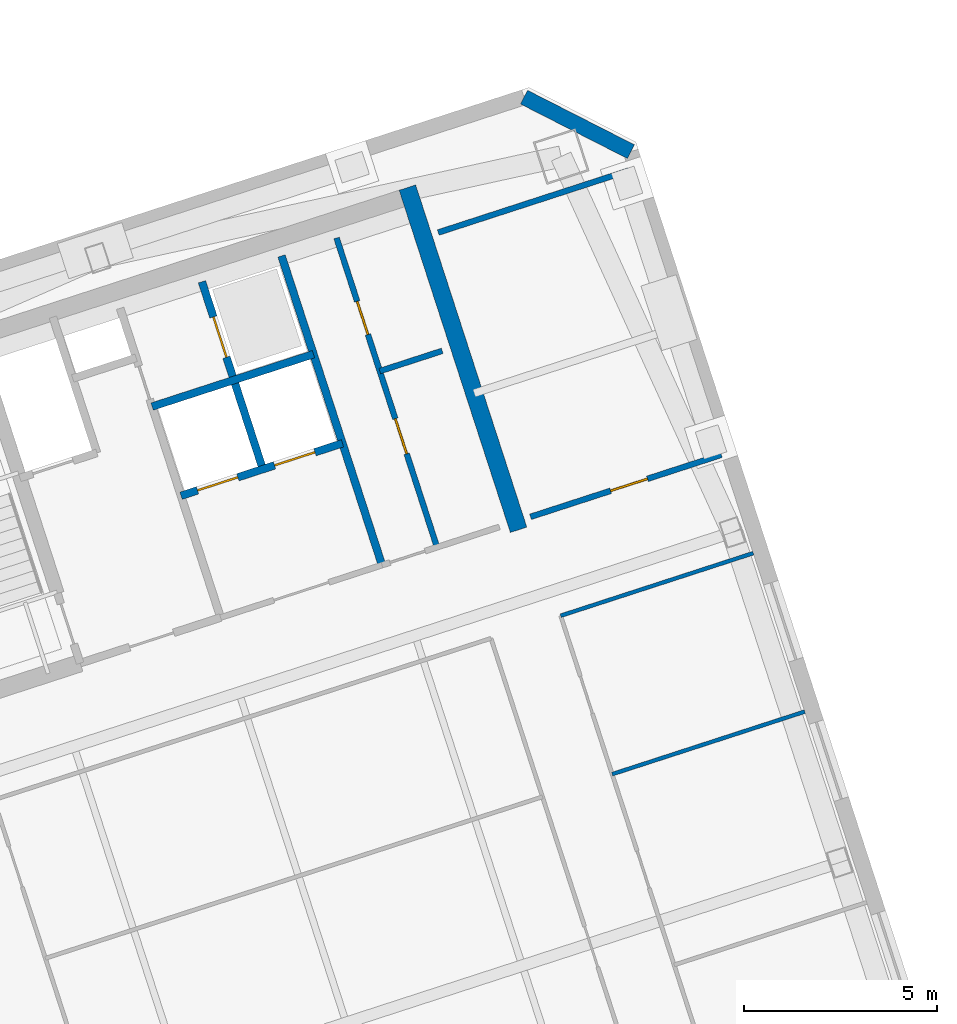
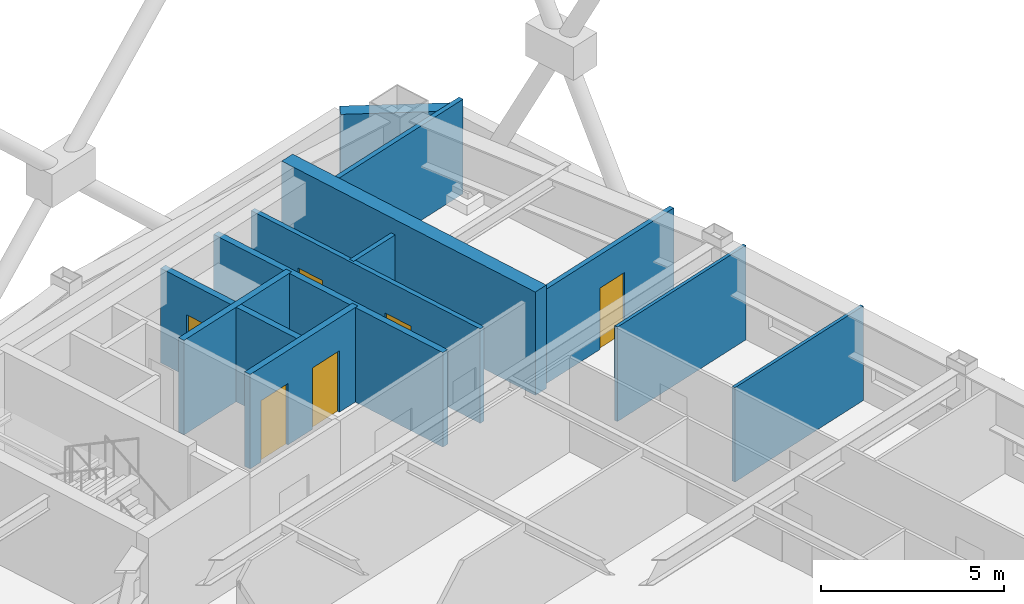
# One storey, part 11 of 15: 12 walls, 6 doors, 6 openings.
"""IFC4 building model written with IfcOpenShell, lengths in metres."""

from ifc_helpers import new_model, si_unit, direction, frame, frame_2d, origin, place, context, subcontext, project, spatial, rectangle, extrude, material, layer, layer_set, type_object, element, fill, save


model = new_model("IFC4")

# Units and contexts
model_context = context("Model", 3, precision=1e-05, world=origin(), true_north=direction((0.0, 1.0)))
body_context = subcontext(model_context, "Body", "Model", "MODEL_VIEW")
ifc_project = project(units=[si_unit("LENGTHUNIT", "METRE"), si_unit("AREAUNIT", "SQUARE_METRE"), si_unit("VOLUMEUNIT", "CUBIC_METRE"), si_unit("PLANEANGLEUNIT", "RADIAN"), si_unit("MASSUNIT", "GRAM", prefix="KILO")], contexts=[model_context])

# Site, building, storey
site_placement = place(None, origin())
site = spatial("IfcSite", under=ifc_project, at=site_placement, CompositionType="ELEMENT")
building_placement = place(site_placement, origin())
building = spatial("IfcBuilding", under=site, at=building_placement, Name="Qiaolan Cultural Towers", CompositionType="ELEMENT")
storey_placement = place(building_placement, frame((0.0, 0.0, 212.75)))
storey = spatial("IfcBuildingStorey", under=building, at=storey_placement, Name="L57", CompositionType="ELEMENT", Elevation=212.75)

# Walls
ifc_material_1 = material(Name="Concrete C50", Category="concrete")
ifc_layer_1 = layer(ifc_material_1, 0.449951171875)
ifc_layer_set_1 = layer_set([ifc_layer_1], Name="Concrete C50")
wall_type_1 = type_object("IfcWallType", Name="WL-CORE-450", PredefinedType="SHEAR", material=ifc_layer_set_1)
wall_1_placement = place(storey_placement, frame((94.468994140625, 46.781494140625, 0.0), z_axis=(0.0, 0.0, 1.0), x_axis=(-0.309004419953, 0.951060601881, 0.0)))
element("IfcWall", 1, at=wall_1_placement, inside=storey, type_object=wall_type_1, Name="L57 T2-CN East Core Shear Wall", PredefinedType="SHEAR", context=body_context, shape_type="SweptSolid", body=[
    extrude(rectangle(XDim=9.330078125, YDim=0.449951171875, at=frame_2d((4.6650390625, 0.0))), origin(), (0.0, 0.0, 1.0), 3.449951171875),
])
ifc_material_2 = material(Name="Precast Concrete C50 Honed Stone Pier", Category="masonry")
ifc_layer_2 = layer(ifc_material_2, 0.39990234375)
ifc_layer_set_2 = layer_set([ifc_layer_2], Name="Precast Concrete C50 Honed Stone Pier")
wall_type_2 = type_object("IfcWallType", Name="WL-EXT-PIER-400", PredefinedType="SOLIDWALL", material=ifc_layer_set_2)
wall_2_placement = place(storey_placement, frame((94.609619140625, 57.9990234375, 0.0), z_axis=(0.0, 0.0, 1.0), x_axis=(0.890979603174, -0.454043331334, 0.0)))
element("IfcWall", 2, at=wall_2_placement, inside=storey, type_object=wall_type_2, Name="L57 East Tower Precast Pier Facade Wall F4", PredefinedType="SOLIDWALL", context=body_context, shape_type="SweptSolid", body=[
    extrude(rectangle(XDim=3.111083984375, YDim=0.39990234375, at=frame_2d((1.5556640625, 0.0))), origin(), (0.0, 0.0, 1.0), 2.550048828125),
])
ifc_material_3 = material(Name="Concrete C35 Fire Wall", Category="concrete")
ifc_layer_3 = layer(ifc_material_3, 0.199951171875)
ifc_layer_set_3 = layer_set([ifc_layer_3], Name="Concrete C35 Fire Wall")
wall_type_3 = type_object("IfcWallType", Name="WL-FIRE-200", PredefinedType="PARTITIONING", material=ifc_layer_set_3)
wall_3_placement = place(storey_placement, frame((90.92822265625, 45.86767578125, 0.0), z_axis=(0.0, 0.0, 1.0), x_axis=(-0.309042196757, 0.951048327176, 0.0)))
element("IfcWall", 3, at=wall_3_placement, inside=storey, type_object=wall_type_3, Name="L57 T2-CN Lift Core East Wall", PredefinedType="PARTITIONING", context=body_context, shape_type="SweptSolid", body=[
    extrude(rectangle(XDim=8.429931640625, YDim=0.199951171875, at=frame_2d((4.21484375, 0.0))), origin(), (0.0, 0.0, 1.0), 3.155029296875),
])

# Wall, openings, doors
wall_4_placement = place(storey_placement, frame((85.717529296875, 47.66552734375, 0.0), z_axis=(0.0, 0.0, 1.0), x_axis=(0.951058531764, 0.30901079133, 0.0)))
wall_4 = element("IfcWall", 4, at=wall_4_placement, inside=storey, type_object=wall_type_3, Name="L57 T2-CN Passenger Lift Shaft Front Wall", PredefinedType="PARTITIONING", context=body_context, shape_type="SweptSolid", body=[
    extrude(rectangle(XDim=4.39990234375, YDim=0.199951171875, at=frame_2d((2.199951171875, 0.0))), origin(), (0.0, 0.0, 1.0), 3.155029296875),
])
opening_1_placement = place(wall_4_placement, frame((0.449951171875, 0.0, 0.0)))
opening_1 = element("IfcOpeningElement", 5, at=opening_1_placement, cuts=wall_4, Name="Opening LD-01", PredefinedType="OPENING", context=body_context, shape_type="SweptSolid", body=[
    extrude(rectangle(XDim=1.10009765625, YDim=2.050048828125, at=frame_2d((0.550048828125, 1.02490234375))), frame((0.0, 0.10986328125, 0.0), z_axis=(0.0, -1.0, 0.0), x_axis=(1.0, 0.0, 0.0)), (0.0, 0.0, 1.0), 0.219970703125),
])
opening_2_placement = place(wall_4_placement, frame((2.550048828125, 0.0, 0.0)))
opening_2 = element("IfcOpeningElement", 6, at=opening_2_placement, cuts=wall_4, Name="Opening LD-01", PredefinedType="OPENING", context=body_context, shape_type="SweptSolid", body=[
    extrude(rectangle(XDim=1.10009765625, YDim=2.050048828125, at=frame_2d((0.550048828125, 1.02490234375))), frame((0.0, 0.10986328125, 0.0), z_axis=(0.0, -1.0, 0.0), x_axis=(1.0, 0.0, 0.0)), (0.0, 0.0, 1.0), 0.219970703125),
])
ifc_material_4 = material(Name="Brushed Stainless Steel S30408 Centre-Parting Lift Landing Door", Category="steel")
door_type_1 = type_object("IfcDoorType", Name="DR-LIFT-1100", OperationType="NOTDEFINED", PredefinedType="DOOR", material=ifc_material_4)
door_1_placement = place(opening_1_placement, origin())
door_1 = element("IfcDoor", 7, at=door_1_placement, inside=storey, type_object=door_type_1, Name="L57 Passenger Lift 1 Landing Door", OperationType="DOUBLE_DOOR_SLIDING", OverallHeight=2.050048828125, OverallWidth=1.10009765625, PredefinedType="DOOR", context=body_context, shape_type="SweptSolid", body=[
    extrude(rectangle(XDim=1.10009765625, YDim=2.050048828125, at=frame_2d((0.550048828125, 1.02490234375))), frame((0.0, 0.02490234375, 0.0), z_axis=(0.0, -1.0, 0.0), x_axis=(1.0, 0.0, 0.0)), (0.0, 0.0, 1.0), 0.050048828125),
])
fill(opening_1, door_1)
door_2_placement = place(opening_2_placement, origin())
door_2 = element("IfcDoor", 8, at=door_2_placement, inside=storey, type_object=door_type_1, Name="L57 Passenger Lift 2 Landing Door", OperationType="DOUBLE_DOOR_SLIDING", OverallHeight=2.050048828125, OverallWidth=1.10009765625, PredefinedType="DOOR", context=body_context, shape_type="SweptSolid", body=[
    extrude(rectangle(XDim=1.10009765625, YDim=2.050048828125, at=frame_2d((0.550048828125, 1.02490234375))), frame((0.0, 0.02490234375, 0.0), z_axis=(0.0, -1.0, 0.0), x_axis=(1.0, 0.0, 0.0)), (0.0, 0.0, 1.0), 0.050048828125),
])
fill(opening_2, door_2)

# Wall, opening, door
wall_5_placement = place(storey_placement, frame((87.83837890625, 48.3544921875, 0.0), z_axis=(0.0, 0.0, 1.0), x_axis=(-0.3090093719, 0.951058992953, 0.0)))
wall_5 = element("IfcWall", 9, at=wall_5_placement, inside=storey, type_object=wall_type_3, Name="L57 T2-CN Lift Shaft Divider Wall", PredefinedType="PARTITIONING", context=body_context, shape_type="SweptSolid", body=[
    extrude(rectangle(XDim=5.110107421875, YDim=0.199951171875, at=frame_2d((2.55517578125, 0.0))), origin(), (0.0, 0.0, 1.0), 3.155029296875),
])
opening_3_placement = place(wall_5_placement, frame((3.050048828125, 0.0, 0.0)))
opening_3 = element("IfcOpeningElement", 10, at=opening_3_placement, cuts=wall_5, Name="Opening LD-01", PredefinedType="OPENING", context=body_context, shape_type="SweptSolid", body=[
    extrude(rectangle(XDim=1.10009765625, YDim=2.050048828125, at=frame_2d((0.550048828125, 1.02490234375))), frame((0.0, 0.10986328125, 0.0), z_axis=(0.0, -1.0, 0.0), x_axis=(1.0, 0.0, 0.0)), (0.0, 0.0, 1.0), 0.219970703125),
])
door_3_placement = place(opening_3_placement, origin())
door_3 = element("IfcDoor", 11, at=door_3_placement, inside=storey, type_object=door_type_1, Name="L57 Sky Shuttle Lift Transfer Landing Door", OperationType="DOUBLE_DOOR_SLIDING", OverallHeight=2.050048828125, OverallWidth=1.10009765625, PredefinedType="DOOR", context=body_context, shape_type="SweptSolid", body=[
    extrude(rectangle(XDim=1.10009765625, YDim=2.050048828125, at=frame_2d((0.550048828125, 1.02490234375))), frame((0.0, 0.02490234375, 0.0), z_axis=(0.0, -1.0, 0.0), x_axis=(1.0, 0.0, 0.0)), (0.0, 0.0, 1.0), 0.050048828125),
])
fill(opening_3, door_3)

# Walls
wall_6_placement = place(storey_placement, frame((84.966552734375, 49.9765625, 0.0), z_axis=(0.0, 0.0, 1.0), x_axis=(0.951063829732, 0.308994485023, 0.0)))
element("IfcWall", 12, at=wall_6_placement, inside=storey, type_object=wall_type_3, Name="L57 T2-CN Passenger Lift Shaft Back Wall", PredefinedType="PARTITIONING", context=body_context, shape_type="SweptSolid", body=[
    extrude(rectangle(XDim=4.400146484375, YDim=0.199951171875, at=frame_2d((2.2001953125, 0.0))), origin(), (0.0, 0.0, 1.0), 3.155029296875),
])
ifc_material_5 = material(Name="Acoustic Double-Glazed Partition Frame", Category="glass")
ifc_layer_4 = layer(ifc_material_5, 0.10009765625)
ifc_layer_set_4 = layer_set([ifc_layer_4], Name="Acoustic Double-Glazed Partition Frame")
wall_type_4 = type_object("IfcWallType", Name="WL-GLAZED-100", PredefinedType="MOVABLE", material=ifc_layer_set_4)
for number, where, z_axis, x_axis, name in (
    (13, (95.560546875, 44.554931640625, 0.0), (0.0, 0.0, 1.0), (0.951055596592, 0.309019824916, 0.0), "L57 T2 Interior Wall"),
    (14, (96.8955078125, 40.4462890625, 0.0), (0.0, 0.0, 1.0), (0.951055596592, 0.309019824916, 0.0), "L57 T2 Interior Wall"),
):
    element("IfcWall", number, at=place(storey_placement, frame(where, z_axis=z_axis, x_axis=x_axis)), inside=storey, type_object=wall_type_4, Name=name, PredefinedType="MOVABLE", context=body_context, shape_type="SweptSolid", body=[
        extrude(rectangle(XDim=5.249755859375, YDim=0.10009765625, at=frame_2d((2.625, 0.0))), origin(), (0.0, 0.0, 1.0), 3.155029296875),
    ])

# Wall, openings, doors
ifc_material_6 = material(Name="Autoclaved Aerated Concrete Block B06", Category="concrete")
ifc_layer_5 = layer(ifc_material_6, 0.14990234375)
ifc_layer_set_5 = layer_set([ifc_layer_5], Name="Autoclaved Aerated Concrete Block B06")
wall_type_5 = type_object("IfcWallType", Name="WL-PART-150", PredefinedType="PARTITIONING", material=ifc_layer_set_5)
wall_7_placement = place(storey_placement, frame((92.354736328125, 46.3310546875, 0.0), z_axis=(0.0, 0.0, 1.0), x_axis=(-0.309007490203, 0.951059604335, 0.0)))
wall_7 = element("IfcWall", 15, at=wall_7_placement, inside=storey, type_object=wall_type_5, Name="L57 T2-CN Washroom Split Wall", PredefinedType="PARTITIONING", context=body_context, shape_type="SweptSolid", body=[
    extrude(rectangle(XDim=8.43017578125, YDim=0.14990234375, at=frame_2d((4.215087890625, 0.0))), origin(), (0.0, 0.0, 1.0), 3.155029296875),
])
opening_4_placement = place(wall_7_placement, frame((2.550048828125, 0.0, 0.0)))
opening_4 = element("IfcOpeningElement", 16, at=opening_4_placement, cuts=wall_7, Name="Opening ID-05", PredefinedType="OPENING", context=body_context, shape_type="SweptSolid", body=[
    extrude(rectangle(XDim=0.949951171875, YDim=2.050048828125, at=frame_2d((0.47509765625, 1.02490234375))), frame((0.0, 0.0849609375, 0.0), z_axis=(0.0, -1.0, 0.0), x_axis=(1.0, 0.0, 0.0)), (0.0, 0.0, 1.0), 0.169921875),
])
opening_5_placement = place(wall_7_placement, frame((5.800048828125, 0.0, 0.0)))
opening_5 = element("IfcOpeningElement", 17, at=opening_5_placement, cuts=wall_7, Name="Opening ID-06", PredefinedType="OPENING", context=body_context, shape_type="SweptSolid", body=[
    extrude(rectangle(XDim=0.89990234375, YDim=2.050048828125, at=frame_2d((0.449951171875, 1.02490234375))), frame((0.0, 0.0849609375, 0.0), z_axis=(0.0, -1.0, 0.0), x_axis=(1.0, 0.0, 0.0)), (0.0, 0.0, 1.0), 0.169921875),
])
ifc_material_7 = material(Name="Fire-Rated Laminate Core Service Door", Category="timber")
door_type_2 = type_object("IfcDoorType", Name="DR-INT-900", OperationType="NOTDEFINED", PredefinedType="DOOR", material=ifc_material_7)
door_4_placement = place(opening_5_placement, origin())
door_4 = element("IfcDoor", 18, at=door_4_placement, inside=storey, type_object=door_type_2, Name="L57 First-Aid Room Door", OperationType="SINGLE_SWING_RIGHT", OverallHeight=2.050048828125, OverallWidth=0.89990234375, PredefinedType="DOOR", context=body_context, shape_type="SweptSolid", body=[
    extrude(rectangle(XDim=0.89990234375, YDim=2.050048828125, at=frame_2d((0.449951171875, 1.02490234375))), frame((0.0, 0.02490234375, 0.0), z_axis=(0.0, -1.0, 0.0), x_axis=(1.0, 0.0, 0.0)), (0.0, 0.0, 1.0), 0.050048828125),
])
fill(opening_5, door_4)
ifc_material_8 = material(Name="Fire-Rated Laminate Accessible Core Door", Category="timber")
door_type_3 = type_object("IfcDoorType", Name="DR-INT-950", OperationType="NOTDEFINED", PredefinedType="DOOR", material=ifc_material_8)
door_5_placement = place(opening_4_placement, origin())
door_5 = element("IfcDoor", 19, at=door_5_placement, inside=storey, type_object=door_type_3, Name="L57 Accessible Washroom Door", OperationType="SINGLE_SWING_LEFT", OverallHeight=2.050048828125, OverallWidth=0.949951171875, PredefinedType="DOOR", context=body_context, shape_type="SweptSolid", body=[
    extrude(rectangle(XDim=0.949951171875, YDim=2.050048828125, at=frame_2d((0.47509765625, 1.02490234375))), frame((0.0, 0.02490234375, 0.0), z_axis=(0.0, -1.0, 0.0), x_axis=(1.0, 0.0, 0.0)), (0.0, 0.0, 1.0), 0.050048828125),
])
fill(opening_4, door_5)

# Walls
wall_8_placement = place(storey_placement, frame((90.871337890625, 50.896240234375, 0.0), z_axis=(0.0, 0.0, 1.0), x_axis=(0.951054116971, 0.309024378638, 0.0)))
element("IfcWall", 20, at=wall_8_placement, inside=storey, type_object=wall_type_5, Name="L57 T2-CN First-Aid Wall", PredefinedType="PARTITIONING", context=body_context, shape_type="SweptSolid", body=[
    extrude(rectangle(XDim=1.7001953125, YDim=0.14990234375, at=frame_2d((0.85009765625, 0.0))), origin(), (0.0, 0.0, 1.0), 3.155029296875),
])
wall_9_placement = place(storey_placement, frame((92.385009765625, 54.48974609375, 0.0), z_axis=(0.0, 0.0, 1.0), x_axis=(0.951055112834, 0.309021313752, 0.0)))
element("IfcWall", 21, at=wall_9_placement, inside=storey, type_object=wall_type_5, Name="L57 T2 Flank Wall FLK-NE", PredefinedType="PARTITIONING", context=body_context, shape_type="SweptSolid", body=[
    extrude(rectangle(XDim=5.2001953125, YDim=0.14990234375, at=frame_2d((2.60009765625, 0.0))), origin(), (0.0, 0.0, 1.0), 3.155029296875),
])

# Wall, opening, door
wall_10_placement = place(storey_placement, frame((94.77978515625, 47.119140625, 0.0), z_axis=(0.0, 0.0, 1.0), x_axis=(0.951055112834, 0.309021313752, 0.0)))
wall_10 = element("IfcWall", 22, at=wall_10_placement, inside=storey, type_object=wall_type_5, Name="L57 T2 Flank Front FLK-NE", PredefinedType="PARTITIONING", context=body_context, shape_type="SweptSolid", body=[
    extrude(rectangle(XDim=5.2001953125, YDim=0.14990234375, at=frame_2d((2.60009765625, 0.0))), origin(), (0.0, 0.0, 1.0), 3.155029296875),
])
opening_6_placement = place(wall_10_placement, frame((2.18408203125, 0.0, 0.0)))
opening_6 = element("IfcOpeningElement", 23, at=opening_6_placement, cuts=wall_10, Name="Opening ID-04", PredefinedType="OPENING", context=body_context, shape_type="SweptSolid", body=[
    extrude(rectangle(XDim=1.0, YDim=2.050048828125, at=frame_2d((0.5, 1.02490234375))), frame((0.0, 0.0849609375, 0.0), z_axis=(0.0, -1.0, 0.0), x_axis=(1.0, 0.0, 0.0)), (0.0, 0.0, 1.0), 0.169921875),
])
ifc_material_9 = material(Name="Oak Veneer Acoustic Office Door", Category="timber")
door_type_4 = type_object("IfcDoorType", Name="DR-INT-1000", OperationType="NOTDEFINED", PredefinedType="DOOR", material=ifc_material_9)
door_6_placement = place(opening_6_placement, origin())
door_6 = element("IfcDoor", 24, at=door_6_placement, inside=storey, type_object=door_type_4, Name="L57 T2 Corner Studio Door", OperationType="SINGLE_SWING_LEFT", OverallHeight=2.050048828125, OverallWidth=1.0, PredefinedType="DOOR", context=body_context, shape_type="SweptSolid", body=[
    extrude(rectangle(XDim=1.0, YDim=2.050048828125, at=frame_2d((0.5, 1.02490234375))), frame((0.0, 0.02490234375, 0.0), z_axis=(0.0, -1.0, 0.0), x_axis=(1.0, 0.0, 0.0)), (0.0, 0.0, 1.0), 0.050048828125),
])
fill(opening_6, door_6)

save(model, "model.ifc")
